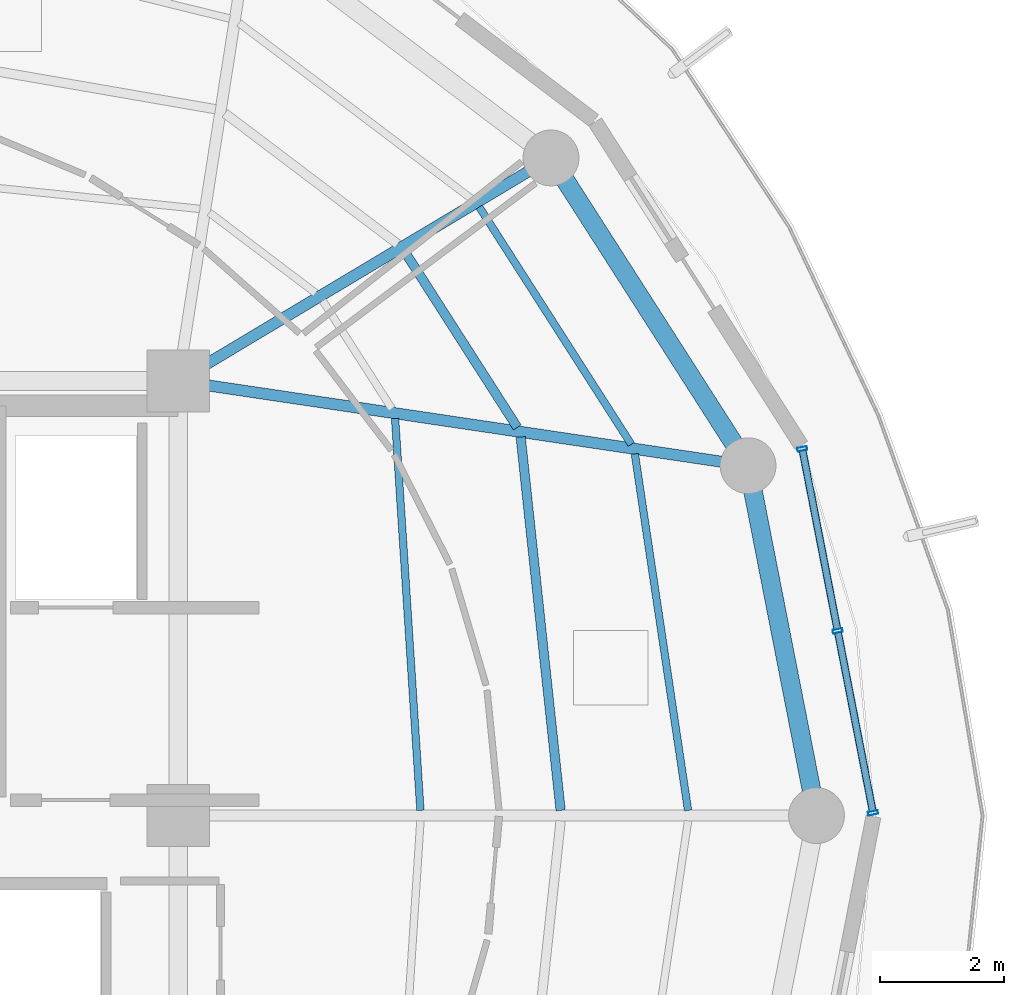
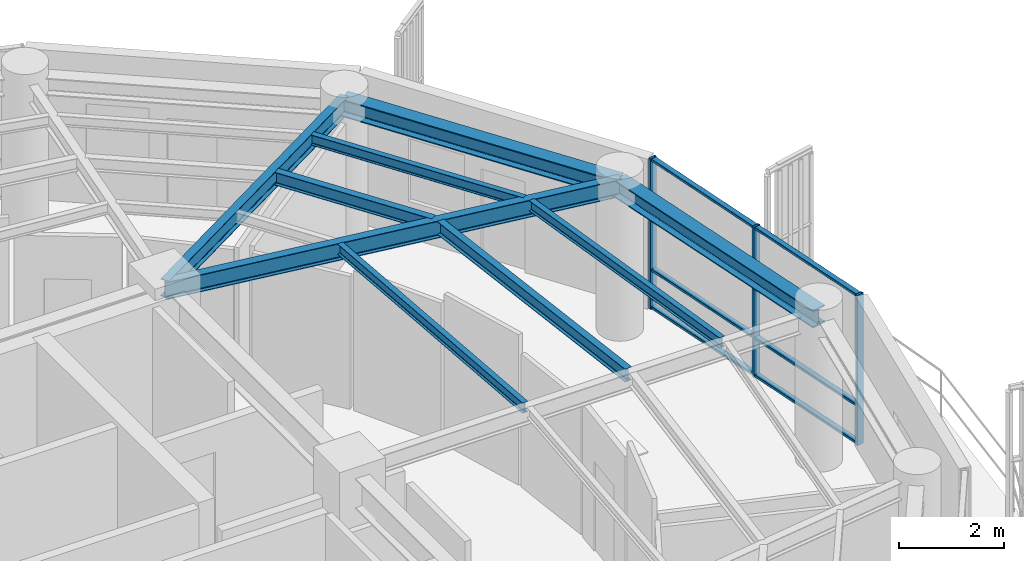
# One storey, part 11 of 23: 9 beams, 9 members, 1 element without a shape of its own.
"""IFC4 building model written with IfcOpenShell, lengths in metres."""

import ifcopenshell
import ifcopenshell.guid

model = None  # the IFC model being written
_history = None  # IfcOwnerHistory: only IFC2X3 demands one
_inside = {}  # id of a spatial element -> (the spatial element, [elements in it])
_under = {}  # id of a project, library or spatial element -> (it, [spatial elements below it])
_declared = {}  # id of a project -> (the project, [libraries it declares])
_typed = {}  # id of a type object -> (the type object, [elements of that type])
_made_of = {}  # id of a material, layer set ... -> (it, [elements and type objects made of it])


def new_model(schema):
    """Start an empty IFC model of exactly this schema.

    Asked for "IFC4X3", IfcOpenShell would pick the latest addendum, in which some entities
    have other attributes; the version numbers below select the first issue.
    IFC2X3 requires an IfcOwnerHistory on every rooted entity: one is made here for all.
    """
    global model, _history
    if schema == "IFC4X3":
        model = ifcopenshell.file(schema_version=(4, 3, 0, 0))
    else:
        model = ifcopenshell.file(schema=schema)
    _inside.clear()
    _under.clear()
    _declared.clear()
    _typed.clear()
    _made_of.clear()
    _history = None
    if model.schema == "IFC2X3":
        org = make("IfcOrganization", Name="unknown")
        user = make(
            "IfcPersonAndOrganization",
            ThePerson=make("IfcPerson", FamilyName="unknown"),
            TheOrganization=org,
        )
        app = make(
            "IfcApplication",
            ApplicationDeveloper=org,
            Version="unknown",
            ApplicationFullName="unknown",
            ApplicationIdentifier="unknown",
        )
        _history = make(
            "IfcOwnerHistory",
            OwningUser=user,
            OwningApplication=app,
            ChangeAction="ADDED",
            CreationDate=0,
        )
    return model


def make(cls, **values):
    """One entity of the class cls with the attributes given. An attribute that is None is left unset."""
    return model.create_entity(
        cls, **{name: value for name, value in values.items() if value is not None}
    )


def rooted(cls, **values):
    """An entity with a GlobalId (a new one), such as an element, a storey or a relation."""
    return make(cls, GlobalId=ifcopenshell.guid.new(), OwnerHistory=_history, **values)


def si_unit(unit_type, name, prefix=None):
    """IfcSIUnit, for example si_unit("LENGTHUNIT", "METRE", prefix="MILLI")."""
    return make("IfcSIUnit", UnitType=unit_type, Prefix=prefix, Name=name)


def assignment(units):
    """IfcUnitAssignment: the units of a project."""
    return None if units is None else make("IfcUnitAssignment", Units=units)


def point(xyz):
    """IfcCartesianPoint."""
    return None if xyz is None else make("IfcCartesianPoint", Coordinates=xyz)


def direction(xyz):
    """IfcDirection."""
    return None if xyz is None else make("IfcDirection", DirectionRatios=xyz)


def frame(location, z_axis=None, x_axis=None):
    """IfcAxis2Placement3D, a coordinate frame: its origin and axes. An axis left out is left unset."""
    return make(
        "IfcAxis2Placement3D",
        Location=point(location),
        Axis=direction(z_axis),
        RefDirection=direction(x_axis),
    )


def frame_2d(location, x_axis=None):
    """IfcAxis2Placement2D, a coordinate frame in the plane: its origin and x axis."""
    return make(
        "IfcAxis2Placement2D", Location=point(location), RefDirection=direction(x_axis)
    )


def origin():
    """The frame at (0, 0, 0) with its axes left unset."""
    return frame((0.0, 0.0, 0.0))


def origin_2d():
    """The frame at (0, 0) in the plane with its x axis left unset."""
    return frame_2d((0.0, 0.0))


def place(relative_to, where):
    """IfcLocalPlacement: puts the frame where relative to a parent placement (None: the world)."""
    return make(
        "IfcLocalPlacement", PlacementRelTo=relative_to, RelativePlacement=where
    )


def context(
    kind, dimensions, precision=None, world=None, true_north=None, identifier=None
):
    """IfcGeometricRepresentationContext, for example the 3D "Model" context."""
    return make(
        "IfcGeometricRepresentationContext",
        ContextIdentifier=identifier,
        ContextType=kind,
        CoordinateSpaceDimension=dimensions,
        Precision=precision,
        WorldCoordinateSystem=world,
        TrueNorth=true_north,
    )


def subcontext(parent, identifier, kind, view, scale=None):
    """IfcGeometricRepresentationSubContext, for example "Body" below "Model"."""
    return make(
        "IfcGeometricRepresentationSubContext",
        ContextIdentifier=identifier,
        ContextType=kind,
        ParentContext=parent,
        TargetScale=scale,
        TargetView=view,
    )


def project(units=None, contexts=None):
    """IfcProject with its units and contexts."""
    return rooted(
        "IfcProject",
        Name="project",
        RepresentationContexts=contexts,
        UnitsInContext=assignment(units),
    )


def spatial(cls, under=None, at=None, **own):
    """A site, building, storey or space (cls), placed at a placement, below another one or the project."""
    s = rooted(cls, ObjectPlacement=at, **own)
    if under is not None:
        _under.setdefault(under.id(), (under, []))[1].append(s)
    return s


def profile(cls, at=None, kind="AREA", **sizes):
    """A parametric profile (cls). Its sizes go by their IFC names, for example OverallWidth=200.0."""
    return make(cls, ProfileType=kind, Position=at, **sizes)


def hollow_rectangle(**sizes):
    """IfcRectangleHollowProfileDef."""
    return profile("IfcRectangleHollowProfileDef", **sizes)


def i_section(**sizes):
    """IfcIShapeProfileDef."""
    return profile("IfcIShapeProfileDef", **sizes)


def extrude(swept, where, along, depth):
    """IfcExtrudedAreaSolid: the profile swept, set in the frame where, extruded along a direction by depth."""
    return make(
        "IfcExtrudedAreaSolid",
        SweptArea=swept,
        Position=where,
        ExtrudedDirection=direction(along),
        Depth=depth,
    )


def shape(context_of_items, identifier, shape_type, items):
    """IfcShapeRepresentation: the items that make up one representation, for example the "Body"."""
    return make(
        "IfcShapeRepresentation",
        ContextOfItems=context_of_items,
        RepresentationIdentifier=identifier,
        RepresentationType=shape_type,
        Items=items,
    )


def material(Name=None, Category=None):
    """IfcMaterial."""
    return make("IfcMaterial", Name=Name, Category=Category)


def layer(
    of_material, thickness, ventilated=None, Name=None, Category=None, Priority=None
):
    """IfcMaterialLayer: one layer of a wall or slab, of a material (None: an air gap)."""
    return make(
        "IfcMaterialLayer",
        Material=of_material,
        LayerThickness=thickness,
        IsVentilated=ventilated,
        Name=Name,
        Category=Category,
        Priority=Priority,
    )


def layer_set(layers, Name=None):
    """IfcMaterialLayerSet."""
    return make("IfcMaterialLayerSet", MaterialLayers=layers, LayerSetName=Name)


def material_profile(
    of_material, cross_section, Name=None, Category=None, Priority=None
):
    """IfcMaterialProfile: a cross section and its material."""
    return make(
        "IfcMaterialProfile",
        Name=Name,
        Material=of_material,
        Profile=cross_section,
        Priority=Priority,
        Category=Category,
    )


def profile_set(profiles, Name=None, composite=None):
    """IfcMaterialProfileSet."""
    return make(
        "IfcMaterialProfileSet",
        Name=Name,
        MaterialProfiles=profiles,
        CompositeProfile=composite,
    )


def made_of(thing, what):
    """Note that an element or type object is made of a material, layer set ...; save() writes the relation."""
    if what is not None:
        _made_of.setdefault(what.id(), (what, []))[1].append(thing)
    return thing


def type_object(cls, material=None, **own):
    """A type object (cls), such as IfcWallType, which elements share."""
    return made_of(rooted(cls, **own), material)


def element(
    cls,
    number,
    at=None,
    inside=None,
    cuts=None,
    type_object=None,
    material=None,
    context=None,
    identifier="Body",
    shape_type=None,
    held_by="IfcProductDefinitionShape",
    body=None,
    shapes=None,
    **own,
):
    """One element of the class cls, such as IfcWall. Its Tag is "e" and its number.

    at: its placement. inside: the storey or other place that contains it. cuts: it is an
    opening in that element (IfcRelVoidsElement). A single representation is given by context,
    identifier, shape_type and body (its items); several are given by shapes. held_by: the class
    of the entity that holds the representations. save() writes the other relations.
    """
    e = rooted(cls, Tag="e%d" % number, ObjectPlacement=at, **own)
    if body is not None:
        shapes = [shape(context, identifier, shape_type, body)]
    if shapes is not None:
        e.Representation = make(held_by, Representations=shapes)
    if inside is not None:
        _inside.setdefault(inside.id(), (inside, []))[1].append(e)
    if cuts is not None:
        rooted(
            "IfcRelVoidsElement", RelatingBuildingElement=cuts, RelatedOpeningElement=e
        )
    if type_object is not None:
        _typed.setdefault(type_object.id(), (type_object, []))[1].append(e)
    return made_of(e, material)


def aggregate(whole, parts):
    """IfcRelAggregates: a whole, such as a stair, and the parts it consists of."""
    return rooted("IfcRelAggregates", RelatingObject=whole, RelatedObjects=parts)


def save(model, path):
    """Write the relations noted so far, then the file.

    IfcRelAggregates (storeys below a building ...), IfcRelContainedInSpatialStructure (elements
    in a storey), IfcRelDefinesByType, IfcRelAssociatesMaterial and IfcRelDeclares: one each for
    every whole, place, type object, material and project.
    """
    for whole, parts in _under.values():
        aggregate(whole, parts)
    for where, things in _inside.values():
        rooted(
            "IfcRelContainedInSpatialStructure",
            RelatedElements=things,
            RelatingStructure=where,
        )
    for kind, things in _typed.values():
        rooted("IfcRelDefinesByType", RelatedObjects=things, RelatingType=kind)
    for what, things in _made_of.values():
        rooted("IfcRelAssociatesMaterial", RelatedObjects=things, RelatingMaterial=what)
    for by, libraries in _declared.values():
        rooted("IfcRelDeclares", RelatingContext=by, RelatedDefinitions=libraries)
    model.write(path)


model = new_model("IFC4")

# Units and contexts
model_context = context("Model", 3, precision=1e-05, world=origin(), true_north=direction((0.0, 1.0)))
body_context = subcontext(model_context, "Body", "Model", "MODEL_VIEW")
ifc_project = project(units=[si_unit("LENGTHUNIT", "METRE"), si_unit("AREAUNIT", "SQUARE_METRE"), si_unit("VOLUMEUNIT", "CUBIC_METRE"), si_unit("PLANEANGLEUNIT", "RADIAN"), si_unit("MASSUNIT", "GRAM", prefix="KILO")], contexts=[model_context])

# Site, building, storey
site_placement = place(None, origin())
site = spatial("IfcSite", under=ifc_project, at=site_placement, CompositionType="ELEMENT")
building_placement = place(site_placement, origin())
building = spatial("IfcBuilding", under=site, at=building_placement, Name="Kelanora Arch Commons", CompositionType="ELEMENT")
storey_placement = place(building_placement, frame((0.0, 0.0, 282.449951171875)))
storey = spatial("IfcBuildingStorey", under=building, at=storey_placement, Name="L72", CompositionType="ELEMENT", Elevation=282.449951171875)

# Beams
ifc_material_1 = material(Name="Steel S355", Category="steel")
ifc_material_profile_1 = material_profile(ifc_material_1, i_section(OverallWidth=0.14990234375, OverallDepth=0.300048828125, WebThickness=0.007080078125, FlangeThickness=0.0107421875, FilletRadius=0.014892578125, at=origin_2d()), Name="IPE300")
ifc_profile_set_1 = profile_set([ifc_material_profile_1], Name="Steel S355")
beam_type_1 = type_object("IfcBeamType", Name="BM-JST-01", PredefinedType="JOIST", material=ifc_profile_set_1)
beam_1_placement = place(storey_placement, frame((88.158935546875, 58.08447265625, 3.340087890625), z_axis=(-0.106380594087, 0.994325484538, 0.0), x_axis=(-0.994325484538, -0.106380594087, 0.0)))
element("IfcBeam", 1, at=beam_1_placement, inside=storey, type_object=beam_type_1, Name="Secondary Chord Joist BJB-00 L72", PredefinedType="JOIST", context=body_context, shape_type="SweptSolid", body=[
    extrude(i_section(OverallWidth=0.14990234375, OverallDepth=0.300048828125, WebThickness=0.007080078125, FlangeThickness=0.0107421875, FilletRadius=0.014892578125, at=origin_2d()), origin(), (0.0, 0.0, 1.0), 6.04736328125),
])
beam_2_placement = place(storey_placement, frame((87.460693359375, 64.25341796875, 3.340087890625), z_axis=(-0.539321586177, 0.842099891155, 0.0), x_axis=(-0.842099891155, -0.539321586177, 0.0)))
element("IfcBeam", 2, at=beam_2_placement, inside=storey, type_object=beam_type_1, Name="Secondary Chord Joist BJB-02 L72", PredefinedType="JOIST", context=body_context, shape_type="SweptSolid", body=[
    extrude(i_section(OverallWidth=0.14990234375, OverallDepth=0.300048828125, WebThickness=0.007080078125, FlangeThickness=0.0107421875, FilletRadius=0.014892578125, at=origin_2d()), origin(), (0.0, 0.0, 1.0), 3.361572265625),
])
ifc_material_profile_2 = material_profile(ifc_material_1, i_section(OverallWidth=0.1201171875, OverallDepth=0.239990234375, WebThickness=0.006103515625, FlangeThickness=0.009765625, FilletRadius=0.014892578125, at=origin_2d()), Name="IPE240")
ifc_profile_set_2 = profile_set([ifc_material_profile_2], Name="Steel S355")
beam_type_2 = type_object("IfcBeamType", Name="BM-JST-02", PredefinedType="JOIST", material=ifc_profile_set_2)
beam_3_placement = place(storey_placement, frame((85.90087890625, 58.084716796875, 3.3701171875), z_axis=(-0.064495107978, 0.99791802321, 0.0), x_axis=(-0.99791802321, -0.064495107978, 0.0)))
element("IfcBeam", 3, at=beam_3_placement, inside=storey, type_object=beam_type_2, Name="Secondary Chord Joist BJA-00 L72", PredefinedType="JOIST", context=body_context, shape_type="SweptSolid", body=[
    extrude(i_section(OverallWidth=0.1201171875, OverallDepth=0.239990234375, WebThickness=0.006103515625, FlangeThickness=0.009765625, FilletRadius=0.014892578125, at=origin_2d()), origin(), (0.0, 0.0, 1.0), 6.325439453125),
])
beam_4_placement = place(storey_placement, frame((90.21142578125, 58.083984375, 3.3701171875), z_axis=(-0.14762470282, 0.989043450571, 0.0), x_axis=(-0.989043450571, -0.14762470282, 0.0)))
element("IfcBeam", 4, at=beam_4_placement, inside=storey, type_object=beam_type_2, Name="Secondary Chord Joist BJC-00 L72", PredefinedType="JOIST", context=body_context, shape_type="SweptSolid", body=[
    extrude(i_section(OverallWidth=0.1201171875, OverallDepth=0.239990234375, WebThickness=0.006103515625, FlangeThickness=0.009765625, FilletRadius=0.014892578125, at=origin_2d()), origin(), (0.0, 0.0, 1.0), 5.804931640625),
])
beam_5_placement = place(storey_placement, frame((89.296142578125, 63.980712890625, 3.3701171875), z_axis=(-0.539288735289, 0.842120929552, 0.0), x_axis=(-0.842120929552, -0.539288735289, 0.0)))
element("IfcBeam", 5, at=beam_5_placement, inside=storey, type_object=beam_type_2, Name="Secondary Chord Joist BJC-02 L72", PredefinedType="JOIST", context=body_context, shape_type="SweptSolid", body=[
    extrude(i_section(OverallWidth=0.1201171875, OverallDepth=0.239990234375, WebThickness=0.006103515625, FlangeThickness=0.009765625, FilletRadius=0.014892578125, at=origin_2d()), origin(), (0.0, 0.0, 1.0), 4.538818359375),
])
ifc_material_profile_3 = material_profile(ifc_material_1, i_section(OverallWidth=0.179931640625, OverallDepth=0.39990234375, WebThickness=0.008544921875, FlangeThickness=0.013427734375, FilletRadius=0.02099609375, at=origin_2d()), Name="IPE400")
ifc_profile_set_3 = profile_set([ifc_material_profile_3], Name="Steel S355")
beam_type_3 = type_object("IfcBeamType", Name="BM-RAD-Z5", PredefinedType="BEAM", material=ifc_profile_set_3)
beam_6_placement = place(storey_placement, frame((82.0, 65.0, 3.2900390625), z_axis=(0.989142485564, -0.146959665395, 0.0), x_axis=(0.146959665395, 0.989142485564, 0.0)))
element("IfcBeam", 6, at=beam_6_placement, inside=storey, type_object=beam_type_3, Name="Radial Floor Girder BR-02 L72", PredefinedType="BEAM", context=body_context, shape_type="SweptSolid", body=[
    extrude(i_section(OverallWidth=0.179931640625, OverallDepth=0.39990234375, WebThickness=0.008544921875, FlangeThickness=0.013427734375, FilletRadius=0.02099609375, at=origin_2d()), origin(), (0.0, 0.0, 1.0), 9.2783203125),
])
beam_7_placement = place(storey_placement, frame((82.0, 65.0, 3.2900390625), z_axis=(0.858062005744, 0.513546097541, 0.0), x_axis=(-0.513546097541, 0.858062005744, 0.0)))
element("IfcBeam", 7, at=beam_7_placement, inside=storey, type_object=beam_type_3, Name="Radial Floor Girder BR-04 L72", PredefinedType="BEAM", context=body_context, shape_type="SweptSolid", body=[
    extrude(i_section(OverallWidth=0.179931640625, OverallDepth=0.39990234375, WebThickness=0.008544921875, FlangeThickness=0.013427734375, FilletRadius=0.02099609375, at=origin_2d()), origin(), (0.0, 0.0, 1.0), 6.99658203125),
])
ifc_material_profile_4 = material_profile(ifc_material_1, i_section(OverallWidth=0.300048828125, OverallDepth=0.39990234375, WebThickness=0.013427734375, FlangeThickness=0.02392578125, FilletRadius=0.027099609375, at=origin_2d()), Name="HEB400")
ifc_profile_set_4 = profile_set([ifc_material_profile_4], Name="Steel S355")
beam_type_4 = type_object("IfcBeamType", Name="BM-SPN-Z4", PredefinedType="SPANDREL", material=ifc_profile_set_4)
beam_8_placement = place(storey_placement, frame((92.280029296875, 58.0, 3.2900390625), z_axis=(-0.191969774604, 0.981400838413, 0.0), x_axis=(-0.981400838413, -0.191969774604, 0.0)))
element("IfcBeam", 8, at=beam_8_placement, inside=storey, type_object=beam_type_4, Name="Perimeter Spandrel Beam BS-00 L72", PredefinedType="SPANDREL", context=body_context, shape_type="SweptSolid", body=[
    extrude(i_section(OverallWidth=0.300048828125, OverallDepth=0.39990234375, WebThickness=0.013427734375, FlangeThickness=0.02392578125, FilletRadius=0.027099609375, at=origin_2d()), origin(), (0.0, 0.0, 1.0), 5.743408203125),
])
beam_9_placement = place(storey_placement, frame((91.177490234375, 63.636474609375, 3.2900390625), z_axis=(-0.539280851353, 0.842125978322, 0.0), x_axis=(-0.842125978322, -0.539280851353, 0.0)))
element("IfcBeam", 9, at=beam_9_placement, inside=storey, type_object=beam_type_4, Name="Perimeter Spandrel Beam BS-02 L72", PredefinedType="SPANDREL", context=body_context, shape_type="SweptSolid", body=[
    extrude(i_section(OverallWidth=0.300048828125, OverallDepth=0.39990234375, WebThickness=0.013427734375, FlangeThickness=0.02392578125, FilletRadius=0.027099609375, at=origin_2d()), origin(), (0.0, 0.0, 1.0), 5.8857421875),
])

# Curtain wall, members
ifc_material_2 = material(Name="Terracotta ceramic-fritted low-E glass and aluminium", Category="masonry")
ifc_layer = layer(ifc_material_2, 0.18994140625)
ifc_layer_set = layer_set([ifc_layer], Name="Terracotta ceramic-fritted low-E glass and aluminium")
curtain_wall_type = type_object("IfcCurtainWallType", Name="CW-SYS-03", PredefinedType="NOTDEFINED", material=ifc_layer_set)
curtain_wall_placement = place(storey_placement, origin())
curtain_wall = element("IfcCurtainWall", 10, at=curtain_wall_placement, inside=storey, type_object=curtain_wall_type, Name="Unitised Curtain Wall L72-B00", PredefinedType="NOTDEFINED")
ifc_material_3 = material(Name="Powder-coated aluminium terracotta", Category="masonry")
ifc_material_profile_5 = material_profile(ifc_material_3, hollow_rectangle(XDim=0.159912109375, YDim=0.06005859375, WallThickness=0.0048828125, InnerFilletRadius=0.0048828125, OuterFilletRadius=0.010009765625, at=origin_2d()), Name="CWM160x60")
ifc_profile_set_5 = profile_set([ifc_material_profile_5], Name="Powder-coated aluminium terracotta")
member_type_1 = type_object("IfcMemberType", Name="CWM-STD", PredefinedType="MULLION", material=ifc_profile_set_5)
member_1_placement = place(storey_placement, frame((93.19140625, 58.044189453125, 0.0), z_axis=(0.0, 0.0, 1.0), x_axis=(-0.981595542501, -0.190971701941, 0.0)))
member_1 = element("IfcMember", 11, at=member_1_placement, type_object=member_type_1, Name="CW-03 mullion 1", PredefinedType="MULLION", context=body_context, shape_type="SweptSolid", body=[
    extrude(hollow_rectangle(XDim=0.159912109375, YDim=0.06005859375, WallThickness=0.0048828125, InnerFilletRadius=0.0048828125, OuterFilletRadius=0.010009765625, at=origin_2d()), origin(), (0.0, 0.0, 1.0), 3.47509765625),
])
member_2_placement = place(storey_placement, frame((92.62109375, 60.9755859375, 0.0), z_axis=(0.0, 0.0, 1.0), x_axis=(-0.981595542501, -0.190971701941, 0.0)))
member_2 = element("IfcMember", 12, at=member_2_placement, type_object=member_type_1, Name="CW-03 mullion 2", PredefinedType="MULLION", context=body_context, shape_type="SweptSolid", body=[
    extrude(hollow_rectangle(XDim=0.159912109375, YDim=0.06005859375, WallThickness=0.0048828125, InnerFilletRadius=0.0048828125, OuterFilletRadius=0.010009765625, at=origin_2d()), origin(), (0.0, 0.0, 1.0), 3.47509765625),
])
member_3_placement = place(storey_placement, frame((92.05078125, 63.906982421875, 0.0), z_axis=(0.0, 0.0, 1.0), x_axis=(-0.981595542501, -0.190971701941, 0.0)))
member_3 = element("IfcMember", 13, at=member_3_placement, type_object=member_type_1, Name="CW-03 mullion 3", PredefinedType="MULLION", context=body_context, shape_type="SweptSolid", body=[
    extrude(hollow_rectangle(XDim=0.159912109375, YDim=0.06005859375, WallThickness=0.0048828125, InnerFilletRadius=0.0048828125, OuterFilletRadius=0.010009765625, at=origin_2d()), origin(), (0.0, 0.0, 1.0), 3.47509765625),
])
ifc_material_profile_6 = material_profile(ifc_material_3, hollow_rectangle(XDim=0.1201171875, YDim=0.06005859375, WallThickness=0.0048828125, InnerFilletRadius=0.0048828125, OuterFilletRadius=0.010009765625, at=origin_2d()), Name="CWT120x60")
ifc_profile_set_6 = profile_set([ifc_material_profile_6], Name="Powder-coated aluminium terracotta")
member_type_2 = type_object("IfcMemberType", Name="CWT-STD", PredefinedType="USERDEFINED", material=ifc_profile_set_6)
member_4_placement = place(storey_placement, frame((93.185546875, 58.073486328125, 0.030029296875), z_axis=(-0.190963443354, 0.981597149192, 0.0), x_axis=(-0.981597149192, -0.190963443354, 0.0)))
member_4 = element("IfcMember", 14, at=member_4_placement, type_object=member_type_2, Name="CW-03 transom 1.1", ObjectType="TRANSOM", PredefinedType="USERDEFINED", context=body_context, shape_type="SweptSolid", body=[
    extrude(hollow_rectangle(XDim=0.1201171875, YDim=0.06005859375, WallThickness=0.0048828125, InnerFilletRadius=0.0048828125, OuterFilletRadius=0.010009765625, at=origin_2d()), origin(), (0.0, 0.0, 1.0), 2.926513671875),
])
member_5_placement = place(storey_placement, frame((93.185546875, 58.073486328125, 0.900146484375), z_axis=(-0.190963443354, 0.981597149192, 0.0), x_axis=(-0.981597149192, -0.190963443354, 0.0)))
member_5 = element("IfcMember", 15, at=member_5_placement, type_object=member_type_2, Name="CW-03 transom 1.2", ObjectType="TRANSOM", PredefinedType="USERDEFINED", context=body_context, shape_type="SweptSolid", body=[
    extrude(hollow_rectangle(XDim=0.1201171875, YDim=0.06005859375, WallThickness=0.0048828125, InnerFilletRadius=0.0048828125, OuterFilletRadius=0.010009765625, at=origin_2d()), origin(), (0.0, 0.0, 1.0), 2.926513671875),
])
member_6_placement = place(storey_placement, frame((93.185546875, 58.073486328125, 3.445068359375), z_axis=(-0.190963443354, 0.981597149192, 0.0), x_axis=(-0.981597149192, -0.190963443354, 0.0)))
member_6 = element("IfcMember", 16, at=member_6_placement, type_object=member_type_2, Name="CW-03 transom 1.3", ObjectType="TRANSOM", PredefinedType="USERDEFINED", context=body_context, shape_type="SweptSolid", body=[
    extrude(hollow_rectangle(XDim=0.1201171875, YDim=0.06005859375, WallThickness=0.0048828125, InnerFilletRadius=0.0048828125, OuterFilletRadius=0.010009765625, at=origin_2d()), origin(), (0.0, 0.0, 1.0), 2.926513671875),
])
member_7_placement = place(storey_placement, frame((92.615234375, 61.005126953125, 0.030029296875), z_axis=(-0.190963443354, 0.981597149192, 0.0), x_axis=(-0.981597149192, -0.190963443354, 0.0)))
member_7 = element("IfcMember", 17, at=member_7_placement, type_object=member_type_2, Name="CW-03 transom 2.1", ObjectType="TRANSOM", PredefinedType="USERDEFINED", context=body_context, shape_type="SweptSolid", body=[
    extrude(hollow_rectangle(XDim=0.1201171875, YDim=0.06005859375, WallThickness=0.0048828125, InnerFilletRadius=0.0048828125, OuterFilletRadius=0.010009765625, at=origin_2d()), origin(), (0.0, 0.0, 1.0), 2.926513671875),
])
member_8_placement = place(storey_placement, frame((92.615234375, 61.005126953125, 0.900146484375), z_axis=(-0.190963443354, 0.981597149192, 0.0), x_axis=(-0.981597149192, -0.190963443354, 0.0)))
member_8 = element("IfcMember", 18, at=member_8_placement, type_object=member_type_2, Name="CW-03 transom 2.2", ObjectType="TRANSOM", PredefinedType="USERDEFINED", context=body_context, shape_type="SweptSolid", body=[
    extrude(hollow_rectangle(XDim=0.1201171875, YDim=0.06005859375, WallThickness=0.0048828125, InnerFilletRadius=0.0048828125, OuterFilletRadius=0.010009765625, at=origin_2d()), origin(), (0.0, 0.0, 1.0), 2.926513671875),
])
member_9_placement = place(storey_placement, frame((92.615234375, 61.005126953125, 3.445068359375), z_axis=(-0.190963443354, 0.981597149192, 0.0), x_axis=(-0.981597149192, -0.190963443354, 0.0)))
member_9 = element("IfcMember", 19, at=member_9_placement, type_object=member_type_2, Name="CW-03 transom 2.3", ObjectType="TRANSOM", PredefinedType="USERDEFINED", context=body_context, shape_type="SweptSolid", body=[
    extrude(hollow_rectangle(XDim=0.1201171875, YDim=0.06005859375, WallThickness=0.0048828125, InnerFilletRadius=0.0048828125, OuterFilletRadius=0.010009765625, at=origin_2d()), origin(), (0.0, 0.0, 1.0), 2.926513671875),
])
aggregate(curtain_wall, [member_1, member_2, member_3, member_4, member_5, member_6, member_7, member_8, member_9])

save(model, "model.ifc")
